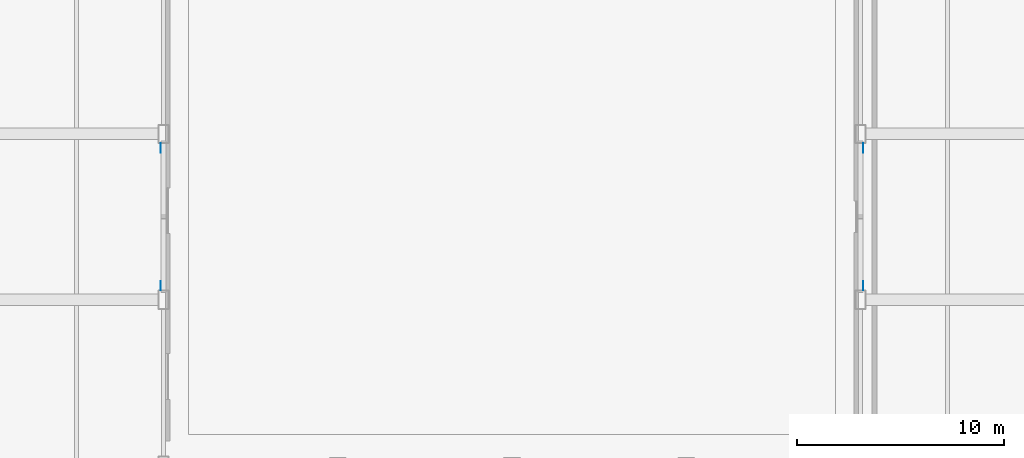
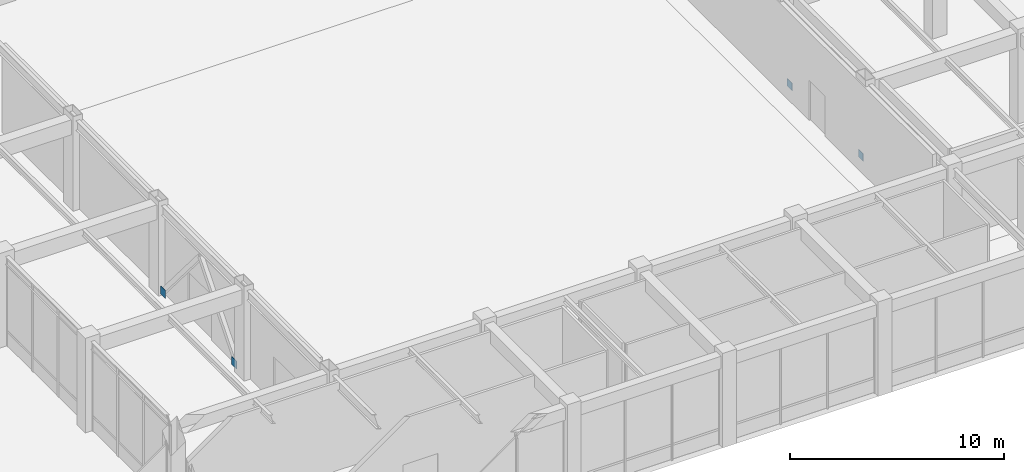
# One storey, part 69 of 79: 4 discrete accessories.
"""IFC4 building model written with IfcOpenShell, lengths in metres."""

from ifc_helpers import new_model, si_unit, direction, frame, origin, origin_2d, place, context, subcontext, project, spatial, rectangle, extrude, material, layer, layer_set, type_object, element, save


model = new_model("IFC4")

# Units and contexts
model_context = context("Model", 3, precision=1e-05, world=origin(), true_north=direction((0.0, 1.0)))
body_context = subcontext(model_context, "Body", "Model", "MODEL_VIEW")
ifc_project = project(units=[si_unit("LENGTHUNIT", "METRE"), si_unit("AREAUNIT", "SQUARE_METRE"), si_unit("VOLUMEUNIT", "CUBIC_METRE"), si_unit("PLANEANGLEUNIT", "RADIAN"), si_unit("MASSUNIT", "GRAM", prefix="KILO")], contexts=[model_context])

# Site, building, storey
site_placement = place(None, origin())
site = spatial("IfcSite", under=ifc_project, at=site_placement, CompositionType="ELEMENT")
building_placement = place(site_placement, origin())
building = spatial("IfcBuilding", under=site, at=building_placement, Name="Naruveol Harbour Congress Hotel", CompositionType="ELEMENT")
storey_placement = place(building_placement, frame((0.0, 0.0, 6.0)))
storey = spatial("IfcBuildingStorey", under=building, at=storey_placement, Name="L01", CompositionType="ELEMENT", Elevation=6.0)

# Discrete accessories
ifc_material = material(Name="Steel SN490", Category="steel")
ifc_layer = layer(ifc_material, 0.02001953125)
ifc_layer_set = layer_set([ifc_layer], Name="Steel SN490")
discrete_accessory_type = type_object("IfcDiscreteAccessoryType", Name="STEEL BRACE GUSSET PLATE 20", PredefinedType="USERDEFINED", material=ifc_layer_set)
for number, where, z_axis, x_axis, name in (
    (1, (75.465087890625, 80.675048828125, 0.10986328125), (0.0, 0.0, 1.0), (0.0, 1.0, 0.0), "Brace gusset plate Lateral chevron brace L01 #13A (A)"),
    (2, (75.465087890625, 87.324951171875, 0.10986328125), (0.0, 0.0, 1.0), (0.0, -1.0, 0.0), "Brace gusset plate Lateral chevron brace L01 #13B (B)"),
    (3, (109.3349609375, 80.675048828125, 0.10986328125), (0.0, 0.0, 1.0), (0.0, 1.0, 0.0), "Brace gusset plate Lateral chevron brace L01 #14A (B)"),
    (4, (109.3349609375, 87.324951171875, 0.10986328125), (0.0, 0.0, 1.0), (0.0, -1.0, 0.0), "Brace gusset plate Lateral chevron brace L01 #14B (A)"),
):
    element("IfcDiscreteAccessory", number, at=place(storey_placement, frame(where, z_axis=z_axis, x_axis=x_axis)), inside=storey, type_object=discrete_accessory_type, Name=name, ObjectType="BRACE GUSSET PLATE", PredefinedType="USERDEFINED", context=body_context, shape_type="SweptSolid", body=[
        extrude(rectangle(XDim=0.449951171875, YDim=0.02001953125, at=origin_2d()), origin(), (0.0, 0.0, 1.0), 0.449951171875),
    ])

save(model, "model.ifc")
